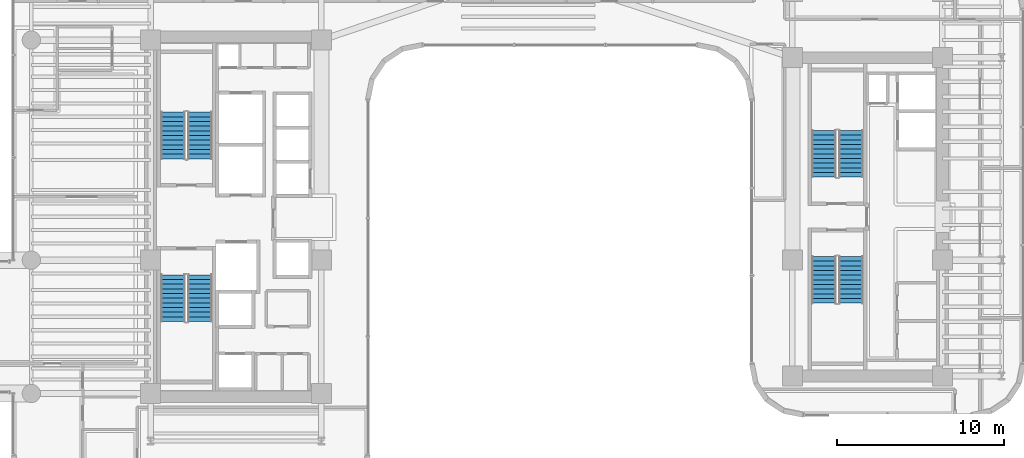
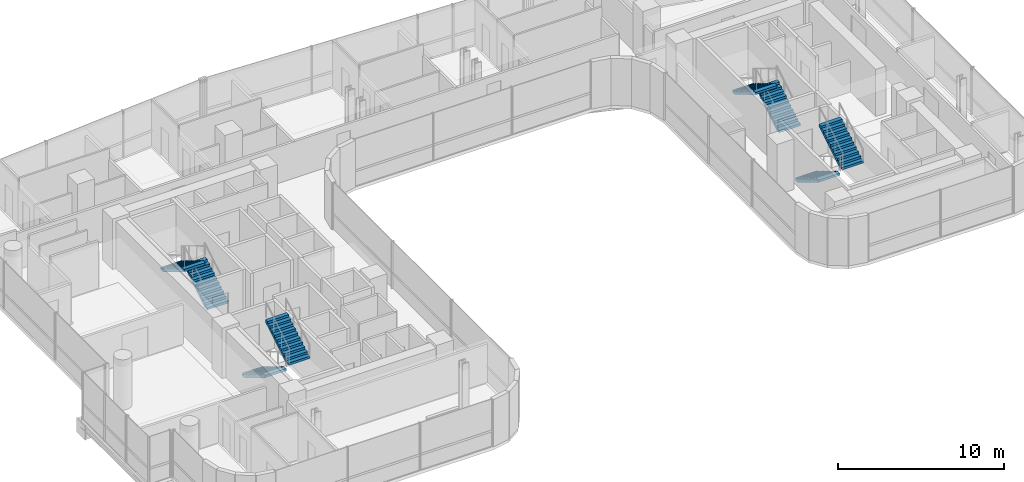
# One storey, part 33 of 38: 8 stair flights, 4 elements without a shape of their own.
"""IFC4 building model written with IfcOpenShell, lengths in metres."""

from ifc_helpers import new_model, si_unit, direction, frame, origin, place, context, subcontext, project, spatial, polyline, outline, extrude, material, type_object, element, aggregate, save


model = new_model("IFC4")

# Units and contexts
model_context = context("Model", 3, precision=1e-05, world=origin(), true_north=direction((0.0, 1.0)))
body_context = subcontext(model_context, "Body", "Model", "MODEL_VIEW")
ifc_project = project(units=[si_unit("LENGTHUNIT", "METRE"), si_unit("AREAUNIT", "SQUARE_METRE"), si_unit("VOLUMEUNIT", "CUBIC_METRE"), si_unit("PLANEANGLEUNIT", "RADIAN"), si_unit("MASSUNIT", "GRAM", prefix="KILO")], contexts=[model_context])

# Site, building, storey
site_placement = place(None, origin())
site = spatial("IfcSite", under=ifc_project, at=site_placement, CompositionType="ELEMENT")
building_placement = place(site_placement, origin())
building = spatial("IfcBuilding", under=site, at=building_placement, Name="Valdorenza Pilgrim Sanctuary Tower", CompositionType="ELEMENT")
storey_placement = place(building_placement, frame((0.0, 0.0, 131.60009765625)))
storey = spatial("IfcBuildingStorey", under=building, at=storey_placement, Name="L33", CompositionType="ELEMENT", Elevation=131.60009765625)

# Stair, stair flights
ifc_material = material(Name="Concrete C40/50", Category="concrete")
stair_type = type_object("IfcStairType", Name="STR-DOG-CORE", PredefinedType="HALF_TURN_STAIR", material=ifc_material)
stair_1_placement = place(storey_placement, origin())
stair_1 = element("IfcStair", 1, at=stair_1_placement, inside=storey, type_object=stair_type, Name="L33 ST-A1", PredefinedType="HALF_TURN_STAIR")
stair_flight_type = type_object("IfcStairFlightType", Name="STF-RC-1400", PredefinedType="STRAIGHT", material=ifc_material)
stair_flight_1_placement = place(storey_placement, frame((-19.679931640625, 3.47998046875, 0.0), z_axis=(0.0, 0.0, 1.0), x_axis=(0.0, 1.0, 0.0)))
stair_flight_1 = element("IfcStairFlight", 2, at=stair_flight_1_placement, type_object=stair_flight_type, Name="ST-A1 flight 1", NumberOfRisers=11, NumberOfTreads=10, PredefinedType="STRAIGHT", RiserHeight=0.168181818, TreadLength=0.28, context=body_context, shape_type="SweptSolid", body=[
    extrude(outline(polyline([(0.0, 0.0), (0.0, 0.168212890625), (0.280029296875, 0.168212890625), (0.280029296875, 0.33642578125), (0.56005859375, 0.33642578125), (0.56005859375, 0.504638671875), (0.840087890625, 0.504638671875), (0.840087890625, 0.672607421875), (1.1201171875, 0.672607421875), (1.1201171875, 0.8408203125), (1.39990234375, 0.8408203125), (1.39990234375, 1.009033203125), (1.679931640625, 1.009033203125), (1.679931640625, 1.17724609375), (1.9599609375, 1.17724609375), (1.9599609375, 1.345458984375), (2.239990234375, 1.345458984375), (2.239990234375, 1.513671875), (2.52001953125, 1.513671875), (2.52001953125, 1.681884765625), (2.800048828125, 1.681884765625), (2.800048828125, 1.85009765625), (2.800048828125, 1.5068359375), (0.291015625, 0.0), (0.0, 0.0)])), frame((0.0, 0.739990234375, 0.0), z_axis=(0.0, -1.0, 0.0), x_axis=(1.0, 0.0, 0.0)), (0.0, 0.0, 1.0), 1.47998046875),
])
stair_flight_2_placement = place(storey_placement, frame((-21.31005859375, 6.280029296875, 1.849853515625), z_axis=(0.0, 0.0, 1.0), x_axis=(0.0, -1.0, 0.0)))
stair_flight_2 = element("IfcStairFlight", 3, at=stair_flight_2_placement, type_object=stair_flight_type, Name="ST-A1 flight 2", NumberOfRisers=11, NumberOfTreads=10, PredefinedType="STRAIGHT", RiserHeight=0.168181818, TreadLength=0.28, context=body_context, shape_type="SweptSolid", body=[
    extrude(outline(polyline([(0.0, 0.0), (0.0, 0.168212890625), (0.280029296875, 0.168212890625), (0.280029296875, 0.33642578125), (0.56005859375, 0.33642578125), (0.56005859375, 0.504638671875), (0.840087890625, 0.504638671875), (0.840087890625, 0.672607421875), (1.1201171875, 0.672607421875), (1.1201171875, 0.8408203125), (1.39990234375, 0.8408203125), (1.39990234375, 1.009033203125), (1.679931640625, 1.009033203125), (1.679931640625, 1.17724609375), (1.9599609375, 1.17724609375), (1.9599609375, 1.345458984375), (2.239990234375, 1.345458984375), (2.239990234375, 1.513671875), (2.52001953125, 1.513671875), (2.52001953125, 1.681884765625), (2.800048828125, 1.681884765625), (2.800048828125, 1.85009765625), (2.800048828125, 1.5068359375), (0.291015625, 0.0), (0.0, 0.0)])), frame((0.0, 0.739990234375, 0.0), z_axis=(0.0, -1.0, 0.0), x_axis=(1.0, 0.0, 0.0)), (0.0, 0.0, 1.0), 1.47998046875),
])
aggregate(stair_1, [stair_flight_1, stair_flight_2])

stair_2_placement = place(storey_placement, origin())
stair_2 = element("IfcStair", 4, at=stair_2_placement, inside=storey, type_object=stair_type, Name="L33 ST-A2", PredefinedType="HALF_TURN_STAIR")
stair_flight_3_placement = place(storey_placement, frame((-21.31005859375, -3.47998046875, 0.0), z_axis=(0.0, 0.0, 1.0), x_axis=(0.0, -1.0, 0.0)))
stair_flight_3 = element("IfcStairFlight", 5, at=stair_flight_3_placement, type_object=stair_flight_type, Name="ST-A2 flight 1", NumberOfRisers=11, NumberOfTreads=10, PredefinedType="STRAIGHT", RiserHeight=0.168181818, TreadLength=0.28, context=body_context, shape_type="SweptSolid", body=[
    extrude(outline(polyline([(0.0, 0.0), (0.0, 0.168212890625), (0.280029296875, 0.168212890625), (0.280029296875, 0.33642578125), (0.56005859375, 0.33642578125), (0.56005859375, 0.504638671875), (0.840087890625, 0.504638671875), (0.840087890625, 0.672607421875), (1.1201171875, 0.672607421875), (1.1201171875, 0.8408203125), (1.39990234375, 0.8408203125), (1.39990234375, 1.009033203125), (1.679931640625, 1.009033203125), (1.679931640625, 1.17724609375), (1.9599609375, 1.17724609375), (1.9599609375, 1.345458984375), (2.239990234375, 1.345458984375), (2.239990234375, 1.513671875), (2.52001953125, 1.513671875), (2.52001953125, 1.681884765625), (2.800048828125, 1.681884765625), (2.800048828125, 1.85009765625), (2.800048828125, 1.5068359375), (0.291015625, 0.0), (0.0, 0.0)])), frame((0.0, 0.739990234375, 0.0), z_axis=(0.0, -1.0, 0.0), x_axis=(1.0, 0.0, 0.0)), (0.0, 0.0, 1.0), 1.47998046875),
])
stair_flight_4_placement = place(storey_placement, frame((-19.679931640625, -6.280029296875, 1.849853515625), z_axis=(0.0, 0.0, 1.0), x_axis=(0.0, 1.0, 0.0)))
stair_flight_4 = element("IfcStairFlight", 6, at=stair_flight_4_placement, type_object=stair_flight_type, Name="ST-A2 flight 2", NumberOfRisers=11, NumberOfTreads=10, PredefinedType="STRAIGHT", RiserHeight=0.168181818, TreadLength=0.28, context=body_context, shape_type="SweptSolid", body=[
    extrude(outline(polyline([(0.0, 0.0), (0.0, 0.168212890625), (0.280029296875, 0.168212890625), (0.280029296875, 0.33642578125), (0.56005859375, 0.33642578125), (0.56005859375, 0.504638671875), (0.840087890625, 0.504638671875), (0.840087890625, 0.672607421875), (1.1201171875, 0.672607421875), (1.1201171875, 0.8408203125), (1.39990234375, 0.8408203125), (1.39990234375, 1.009033203125), (1.679931640625, 1.009033203125), (1.679931640625, 1.17724609375), (1.9599609375, 1.17724609375), (1.9599609375, 1.345458984375), (2.239990234375, 1.345458984375), (2.239990234375, 1.513671875), (2.52001953125, 1.513671875), (2.52001953125, 1.681884765625), (2.800048828125, 1.681884765625), (2.800048828125, 1.85009765625), (2.800048828125, 1.5068359375), (0.291015625, 0.0), (0.0, 0.0)])), frame((0.0, 0.739990234375, 0.0), z_axis=(0.0, -1.0, 0.0), x_axis=(1.0, 0.0, 0.0)), (0.0, 0.0, 1.0), 1.47998046875),
])
aggregate(stair_2, [stair_flight_3, stair_flight_4])

stair_3_placement = place(storey_placement, origin())
stair_3 = element("IfcStair", 7, at=stair_3_placement, inside=storey, type_object=stair_type, Name="L33 ST-B1", PredefinedType="HALF_TURN_STAIR")
stair_flight_5_placement = place(storey_placement, frame((19.3701171875, 2.3798828125, 0.0), z_axis=(0.0, 0.0, 1.0), x_axis=(0.0, 1.0, 0.0)))
stair_flight_5 = element("IfcStairFlight", 8, at=stair_flight_5_placement, type_object=stair_flight_type, Name="ST-B1 flight 1", NumberOfRisers=11, NumberOfTreads=10, PredefinedType="STRAIGHT", RiserHeight=0.168181818, TreadLength=0.28, context=body_context, shape_type="SweptSolid", body=[
    extrude(outline(polyline([(0.0, 0.0), (0.0, 0.168212890625), (0.280029296875, 0.168212890625), (0.280029296875, 0.33642578125), (0.56005859375, 0.33642578125), (0.56005859375, 0.504638671875), (0.840087890625, 0.504638671875), (0.840087890625, 0.672607421875), (1.1201171875, 0.672607421875), (1.1201171875, 0.8408203125), (1.39990234375, 0.8408203125), (1.39990234375, 1.009033203125), (1.679931640625, 1.009033203125), (1.679931640625, 1.17724609375), (1.9599609375, 1.17724609375), (1.9599609375, 1.345458984375), (2.239990234375, 1.345458984375), (2.239990234375, 1.513671875), (2.52001953125, 1.513671875), (2.52001953125, 1.681884765625), (2.800048828125, 1.681884765625), (2.800048828125, 1.85009765625), (2.800048828125, 1.5068359375), (0.291015625, 0.0), (0.0, 0.0)])), frame((0.0, 0.739990234375, 0.0), z_axis=(0.0, -1.0, 0.0), x_axis=(1.0, 0.0, 0.0)), (0.0, 0.0, 1.0), 1.47998046875),
])
stair_flight_6_placement = place(storey_placement, frame((17.739990234375, 5.179931640625, 1.849853515625), z_axis=(0.0, 0.0, 1.0), x_axis=(0.0, -1.0, 0.0)))
stair_flight_6 = element("IfcStairFlight", 9, at=stair_flight_6_placement, type_object=stair_flight_type, Name="ST-B1 flight 2", NumberOfRisers=11, NumberOfTreads=10, PredefinedType="STRAIGHT", RiserHeight=0.168181818, TreadLength=0.28, context=body_context, shape_type="SweptSolid", body=[
    extrude(outline(polyline([(0.0, 0.0), (0.0, 0.168212890625), (0.280029296875, 0.168212890625), (0.280029296875, 0.33642578125), (0.56005859375, 0.33642578125), (0.56005859375, 0.504638671875), (0.840087890625, 0.504638671875), (0.840087890625, 0.672607421875), (1.1201171875, 0.672607421875), (1.1201171875, 0.8408203125), (1.39990234375, 0.8408203125), (1.39990234375, 1.009033203125), (1.679931640625, 1.009033203125), (1.679931640625, 1.17724609375), (1.9599609375, 1.17724609375), (1.9599609375, 1.345458984375), (2.239990234375, 1.345458984375), (2.239990234375, 1.513671875), (2.52001953125, 1.513671875), (2.52001953125, 1.681884765625), (2.800048828125, 1.681884765625), (2.800048828125, 1.85009765625), (2.800048828125, 1.5068359375), (0.291015625, 0.0), (0.0, 0.0)])), frame((0.0, 0.739990234375, 0.0), z_axis=(0.0, -1.0, 0.0), x_axis=(1.0, 0.0, 0.0)), (0.0, 0.0, 1.0), 1.47998046875),
])
aggregate(stair_3, [stair_flight_5, stair_flight_6])

stair_4_placement = place(storey_placement, origin())
stair_4 = element("IfcStair", 10, at=stair_4_placement, inside=storey, type_object=stair_type, Name="L33 ST-B2", PredefinedType="HALF_TURN_STAIR")
stair_flight_7_placement = place(storey_placement, frame((17.739990234375, -2.3798828125, 0.0), z_axis=(0.0, 0.0, 1.0), x_axis=(0.0, -1.0, 0.0)))
stair_flight_7 = element("IfcStairFlight", 11, at=stair_flight_7_placement, type_object=stair_flight_type, Name="ST-B2 flight 1", NumberOfRisers=11, NumberOfTreads=10, PredefinedType="STRAIGHT", RiserHeight=0.168181818, TreadLength=0.28, context=body_context, shape_type="SweptSolid", body=[
    extrude(outline(polyline([(0.0, 0.0), (0.0, 0.168212890625), (0.280029296875, 0.168212890625), (0.280029296875, 0.33642578125), (0.56005859375, 0.33642578125), (0.56005859375, 0.504638671875), (0.840087890625, 0.504638671875), (0.840087890625, 0.672607421875), (1.1201171875, 0.672607421875), (1.1201171875, 0.8408203125), (1.39990234375, 0.8408203125), (1.39990234375, 1.009033203125), (1.679931640625, 1.009033203125), (1.679931640625, 1.17724609375), (1.9599609375, 1.17724609375), (1.9599609375, 1.345458984375), (2.239990234375, 1.345458984375), (2.239990234375, 1.513671875), (2.52001953125, 1.513671875), (2.52001953125, 1.681884765625), (2.800048828125, 1.681884765625), (2.800048828125, 1.85009765625), (2.800048828125, 1.5068359375), (0.291015625, 0.0), (0.0, 0.0)])), frame((0.0, 0.739990234375, 0.0), z_axis=(0.0, -1.0, 0.0), x_axis=(1.0, 0.0, 0.0)), (0.0, 0.0, 1.0), 1.47998046875),
])
stair_flight_8_placement = place(storey_placement, frame((19.3701171875, -5.179931640625, 1.849853515625), z_axis=(0.0, 0.0, 1.0), x_axis=(0.0, 1.0, 0.0)))
stair_flight_8 = element("IfcStairFlight", 12, at=stair_flight_8_placement, type_object=stair_flight_type, Name="ST-B2 flight 2", NumberOfRisers=11, NumberOfTreads=10, PredefinedType="STRAIGHT", RiserHeight=0.168181818, TreadLength=0.28, context=body_context, shape_type="SweptSolid", body=[
    extrude(outline(polyline([(0.0, 0.0), (0.0, 0.168212890625), (0.280029296875, 0.168212890625), (0.280029296875, 0.33642578125), (0.56005859375, 0.33642578125), (0.56005859375, 0.504638671875), (0.840087890625, 0.504638671875), (0.840087890625, 0.672607421875), (1.1201171875, 0.672607421875), (1.1201171875, 0.8408203125), (1.39990234375, 0.8408203125), (1.39990234375, 1.009033203125), (1.679931640625, 1.009033203125), (1.679931640625, 1.17724609375), (1.9599609375, 1.17724609375), (1.9599609375, 1.345458984375), (2.239990234375, 1.345458984375), (2.239990234375, 1.513671875), (2.52001953125, 1.513671875), (2.52001953125, 1.681884765625), (2.800048828125, 1.681884765625), (2.800048828125, 1.85009765625), (2.800048828125, 1.5068359375), (0.291015625, 0.0), (0.0, 0.0)])), frame((0.0, 0.739990234375, 0.0), z_axis=(0.0, -1.0, 0.0), x_axis=(1.0, 0.0, 0.0)), (0.0, 0.0, 1.0), 1.47998046875),
])
aggregate(stair_4, [stair_flight_7, stair_flight_8])

save(model, "model.ifc")
